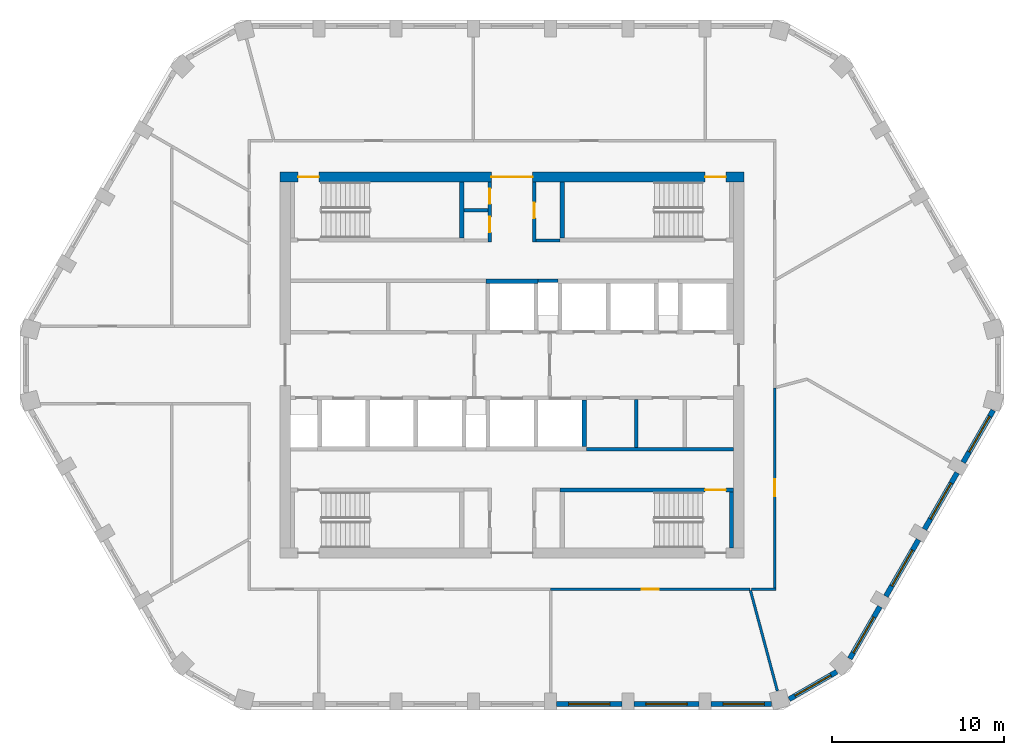
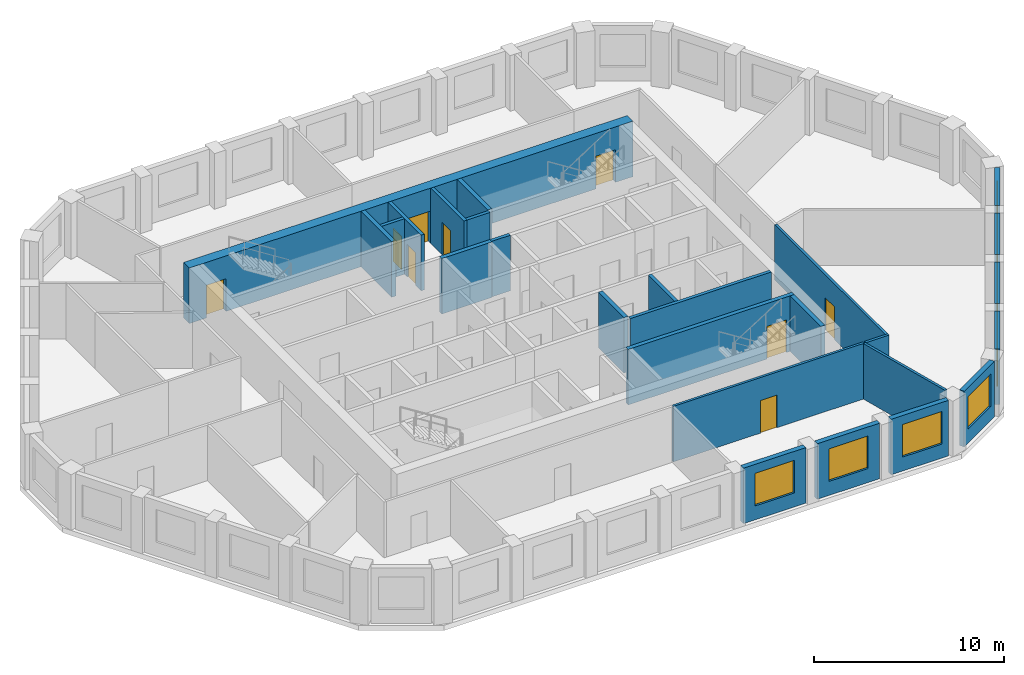
# One storey, part 4 of 7: 26 walls, 9 doors, 8 windows, 17 openings.
"""IFC4 building model written with IfcOpenShell, lengths in metres."""

from ifc_helpers import new_model, si_unit, direction, frame, frame_2d, origin, place, context, subcontext, project, spatial, polyline, rectangle, outline, extrude, material, layer, layer_set, type_object, element, fill, save


model = new_model("IFC4")

# Units and contexts
model_context = context("Model", 3, precision=1e-05, world=origin(), true_north=direction((0.0, 1.0)))
body_context = subcontext(model_context, "Body", "Model", "MODEL_VIEW")
ifc_project = project(units=[si_unit("LENGTHUNIT", "METRE"), si_unit("AREAUNIT", "SQUARE_METRE"), si_unit("VOLUMEUNIT", "CUBIC_METRE"), si_unit("PLANEANGLEUNIT", "RADIAN"), si_unit("MASSUNIT", "GRAM", prefix="KILO")], contexts=[model_context])

# Site, building, storey
site_placement = place(None, origin())
site = spatial("IfcSite", under=ifc_project, at=site_placement, CompositionType="ELEMENT")
building_placement = place(site_placement, origin())
building = spatial("IfcBuilding", under=site, at=building_placement, Name="Dhurran Vertical Campus", CompositionType="ELEMENT")
storey_placement = place(building_placement, frame((0.0, 0.0, 266.39990234375)))
storey = spatial("IfcBuildingStorey", under=building, at=storey_placement, Name="L66", CompositionType="ELEMENT", Elevation=266.39990234375)

# Wall, opening, window
ifc_material_1 = material(Name="Precast concrete C50/60", Category="concrete")
ifc_layer_1 = layer(ifc_material_1, 0.300048828125)
ifc_layer_set_1 = layer_set([ifc_layer_1], Name="Precast concrete C50/60")
wall_type_1 = type_object("IfcWallType", Name="Precast spandrel wall 300", PredefinedType="SOLIDWALL", material=ifc_layer_set_1)
wall_1_placement = place(storey_placement, frame((2.6005859375, -19.738525390625, 0.0), z_axis=(0.0, 0.0, 1.0), x_axis=(1.0, 0.0, 0.0)))
wall_1 = element("IfcWall", 1, at=wall_1_placement, inside=storey, type_object=wall_type_1, Name="EW1 L66.04", PredefinedType="SOLIDWALL", context=body_context, shape_type="SweptSolid", body=[
    extrude(rectangle(XDim=3.798828125, YDim=0.300048828125, at=frame_2d((1.8994140625, 0.0))), origin(), (0.0, 0.0, 1.0), 3.5751953125),
])
opening_1_placement = place(wall_1_placement, frame((0.699462890625, 0.0, 0.89990234375)))
opening_1 = element("IfcOpeningElement", 2, at=opening_1_placement, cuts=wall_1, Name="Opening WT1", PredefinedType="OPENING", context=body_context, shape_type="SweptSolid", body=[
    extrude(rectangle(XDim=2.39990234375, YDim=2.10009765625, at=frame_2d((1.199951171875, 1.050048828125))), frame((0.0, 0.159912109375, 0.0), z_axis=(0.0, -1.0, 0.0), x_axis=(1.0, 0.0, 0.0)), (0.0, 0.0, 1.0), 0.320068359375),
])
ifc_material_2 = material(Name="Aluminium frame with solar-control glass", Category="aluminium")
window_type = type_object("IfcWindowType", Name="Punched window 2400 x 2100", PartitioningType="SINGLE_PANEL", PredefinedType="WINDOW", material=ifc_material_2)
window_1_placement = place(opening_1_placement, origin())
window_1 = element("IfcWindow", 3, at=window_1_placement, inside=storey, type_object=window_type, Name="WT1 L66.04", OverallHeight=2.10009765625, OverallWidth=2.39990234375, PartitioningType="SINGLE_PANEL", PredefinedType="WINDOW", context=body_context, shape_type="SweptSolid", body=[
    extrude(rectangle(XDim=2.39990234375, YDim=2.10009765625, at=frame_2d((1.199951171875, 1.050048828125))), frame((0.0, 0.030029296875, 0.0), z_axis=(0.0, -1.0, 0.0), x_axis=(1.0, 0.0, 0.0)), (0.0, 0.0, 1.0), 0.06005859375),
])
fill(opening_1, window_1)

wall_2_placement = place(storey_placement, frame((7.1005859375, -19.738525390625, 0.0), z_axis=(0.0, 0.0, 1.0), x_axis=(1.0, 0.0, 0.0)))
wall_2 = element("IfcWall", 4, at=wall_2_placement, inside=storey, type_object=wall_type_1, Name="EW1 L66.05", PredefinedType="SOLIDWALL", context=body_context, shape_type="SweptSolid", body=[
    extrude(rectangle(XDim=3.798828125, YDim=0.300048828125, at=frame_2d((1.8994140625, 0.0))), origin(), (0.0, 0.0, 1.0), 3.5751953125),
])
opening_2_placement = place(wall_2_placement, frame((0.699462890625, 0.0, 0.89990234375)))
opening_2 = element("IfcOpeningElement", 5, at=opening_2_placement, cuts=wall_2, Name="Opening WT1", PredefinedType="OPENING", context=body_context, shape_type="SweptSolid", body=[
    extrude(rectangle(XDim=2.39990234375, YDim=2.10009765625, at=frame_2d((1.199951171875, 1.050048828125))), frame((0.0, 0.159912109375, 0.0), z_axis=(0.0, -1.0, 0.0), x_axis=(1.0, 0.0, 0.0)), (0.0, 0.0, 1.0), 0.320068359375),
])
window_2_placement = place(opening_2_placement, origin())
window_2 = element("IfcWindow", 6, at=window_2_placement, inside=storey, type_object=window_type, Name="WT1 L66.05", OverallHeight=2.10009765625, OverallWidth=2.39990234375, PartitioningType="SINGLE_PANEL", PredefinedType="WINDOW", context=body_context, shape_type="SweptSolid", body=[
    extrude(rectangle(XDim=2.39990234375, YDim=2.10009765625, at=frame_2d((1.199951171875, 1.050048828125))), frame((0.0, 0.030029296875, 0.0), z_axis=(0.0, -1.0, 0.0), x_axis=(1.0, 0.0, 0.0)), (0.0, 0.0, 1.0), 0.06005859375),
])
fill(opening_2, window_2)

wall_3_placement = place(storey_placement, frame((11.6005859375, -19.738525390625, 0.0), z_axis=(0.0, 0.0, 1.0), x_axis=(1.0, 0.0, 0.0)))
wall_3 = element("IfcWall", 7, at=wall_3_placement, inside=storey, type_object=wall_type_1, Name="EW1 L66.06", PredefinedType="SOLIDWALL", context=body_context, shape_type="SweptSolid", body=[
    extrude(rectangle(XDim=3.49755859375, YDim=0.300048828125, at=frame_2d((1.748779296875, 0.0))), origin(), (0.0, 0.0, 1.0), 3.5751953125),
])
opening_3_placement = place(wall_3_placement, frame((0.699462890625, 0.0, 0.89990234375)))
opening_3 = element("IfcOpeningElement", 8, at=opening_3_placement, cuts=wall_3, Name="Opening WT1", PredefinedType="OPENING", context=body_context, shape_type="SweptSolid", body=[
    extrude(rectangle(XDim=2.39990234375, YDim=2.10009765625, at=frame_2d((1.199951171875, 1.050048828125))), frame((0.0, 0.159912109375, 0.0), z_axis=(0.0, -1.0, 0.0), x_axis=(1.0, 0.0, 0.0)), (0.0, 0.0, 1.0), 0.320068359375),
])
window_3_placement = place(opening_3_placement, origin())
window_3 = element("IfcWindow", 9, at=window_3_placement, inside=storey, type_object=window_type, Name="WT1 L66.06", OverallHeight=2.10009765625, OverallWidth=2.39990234375, PartitioningType="SINGLE_PANEL", PredefinedType="WINDOW", context=body_context, shape_type="SweptSolid", body=[
    extrude(rectangle(XDim=2.39990234375, YDim=2.10009765625, at=frame_2d((1.199951171875, 1.050048828125))), frame((0.0, 0.030029296875, 0.0), z_axis=(0.0, -1.0, 0.0), x_axis=(1.0, 0.0, 0.0)), (0.0, 0.0, 1.0), 0.06005859375),
])
fill(opening_3, window_3)

wall_4_placement = place(storey_placement, frame((16.1396484375, -19.45947265625, 0.0), z_axis=(0.0, 0.0, 1.0), x_axis=(0.866025316205, 0.500000151692, 0.0)))
wall_4 = element("IfcWall", 10, at=wall_4_placement, inside=storey, type_object=wall_type_1, Name="EW1 L66.07", PredefinedType="SOLIDWALL", context=body_context, shape_type="SweptSolid", body=[
    extrude(rectangle(XDim=3.1962890625, YDim=0.300048828125, at=frame_2d((1.59814453125, 0.0))), origin(), (0.0, 0.0, 1.0), 3.5751953125),
])
opening_4_placement = place(wall_4_placement, frame((0.398193359375, 0.0, 0.89990234375)))
opening_4 = element("IfcOpeningElement", 11, at=opening_4_placement, cuts=wall_4, Name="Opening WT1", PredefinedType="OPENING", context=body_context, shape_type="SweptSolid", body=[
    extrude(rectangle(XDim=2.39990234375, YDim=2.10009765625, at=frame_2d((1.199951171875, 1.050048828125))), frame((0.0, 0.159912109375, 0.0), z_axis=(0.0, -1.0, 0.0), x_axis=(1.0, 0.0, 0.0)), (0.0, 0.0, 1.0), 0.320068359375),
])
window_4_placement = place(opening_4_placement, origin())
window_4 = element("IfcWindow", 12, at=window_4_placement, inside=storey, type_object=window_type, Name="WT1 L66.07", OverallHeight=2.10009765625, OverallWidth=2.39990234375, PartitioningType="SINGLE_PANEL", PredefinedType="WINDOW", context=body_context, shape_type="SweptSolid", body=[
    extrude(rectangle(XDim=2.39990234375, YDim=2.10009765625, at=frame_2d((1.199951171875, 1.050048828125))), frame((0.0, 0.030029296875, 0.0), z_axis=(0.0, -1.0, 0.0), x_axis=(1.0, 0.0, 0.0)), (0.0, 0.0, 1.0), 0.06005859375),
])
fill(opening_4, window_4)

wall_5_placement = place(storey_placement, frame((19.669921875, -17.09912109375, 0.0), z_axis=(0.0, 0.0, 1.0), x_axis=(0.499960102815, 0.866048437209, 0.0)))
wall_5 = element("IfcWall", 13, at=wall_5_placement, inside=storey, type_object=wall_type_1, Name="EW1 L66.08", PredefinedType="SOLIDWALL", context=body_context, shape_type="SweptSolid", body=[
    extrude(rectangle(XDim=3.497802734375, YDim=0.300048828125, at=frame_2d((1.7490234375, 0.0))), origin(), (0.0, 0.0, 1.0), 3.5751953125),
])
opening_5_placement = place(wall_5_placement, frame((0.398193359375, 0.0, 0.89990234375)))
opening_5 = element("IfcOpeningElement", 14, at=opening_5_placement, cuts=wall_5, Name="Opening WT1", PredefinedType="OPENING", context=body_context, shape_type="SweptSolid", body=[
    extrude(rectangle(XDim=2.39990234375, YDim=2.10009765625, at=frame_2d((1.199951171875, 1.050048828125))), frame((0.0, 0.159912109375, 0.0), z_axis=(0.0, -1.0, 0.0), x_axis=(1.0, 0.0, 0.0)), (0.0, 0.0, 1.0), 0.320068359375),
])
window_5_placement = place(opening_5_placement, origin())
window_5 = element("IfcWindow", 15, at=window_5_placement, inside=storey, type_object=window_type, Name="WT1 L66.08", OverallHeight=2.10009765625, OverallWidth=2.39990234375, PartitioningType="SINGLE_PANEL", PredefinedType="WINDOW", context=body_context, shape_type="SweptSolid", body=[
    extrude(rectangle(XDim=2.39990234375, YDim=2.10009765625, at=frame_2d((1.199951171875, 1.050048828125))), frame((0.0, 0.030029296875, 0.0), z_axis=(0.0, -1.0, 0.0), x_axis=(1.0, 0.0, 0.0)), (0.0, 0.0, 1.0), 0.06005859375),
])
fill(opening_5, window_5)

wall_6_placement = place(storey_placement, frame((21.769287109375, -13.462890625, 0.0), z_axis=(0.0, 0.0, 1.0), x_axis=(0.499982058975, 0.866035761792, 0.0)))
wall_6 = element("IfcWall", 16, at=wall_6_placement, inside=storey, type_object=wall_type_1, Name="EW1 L66.09", PredefinedType="SOLIDWALL", context=body_context, shape_type="SweptSolid", body=[
    extrude(rectangle(XDim=3.799072265625, YDim=0.300048828125, at=frame_2d((1.8994140625, 0.0))), origin(), (0.0, 0.0, 1.0), 3.5751953125),
])
opening_6_placement = place(wall_6_placement, frame((0.699462890625, 0.0, 0.89990234375)))
opening_6 = element("IfcOpeningElement", 17, at=opening_6_placement, cuts=wall_6, Name="Opening WT1", PredefinedType="OPENING", context=body_context, shape_type="SweptSolid", body=[
    extrude(rectangle(XDim=2.39990234375, YDim=2.10009765625, at=frame_2d((1.199951171875, 1.050048828125))), frame((0.0, 0.159912109375, 0.0), z_axis=(0.0, -1.0, 0.0), x_axis=(1.0, 0.0, 0.0)), (0.0, 0.0, 1.0), 0.320068359375),
])
window_6_placement = place(opening_6_placement, origin())
window_6 = element("IfcWindow", 18, at=window_6_placement, inside=storey, type_object=window_type, Name="WT1 L66.09", OverallHeight=2.10009765625, OverallWidth=2.39990234375, PartitioningType="SINGLE_PANEL", PredefinedType="WINDOW", context=body_context, shape_type="SweptSolid", body=[
    extrude(rectangle(XDim=2.39990234375, YDim=2.10009765625, at=frame_2d((1.199951171875, 1.050048828125))), frame((0.0, 0.030029296875, 0.0), z_axis=(0.0, -1.0, 0.0), x_axis=(1.0, 0.0, 0.0)), (0.0, 0.0, 1.0), 0.06005859375),
])
fill(opening_6, window_6)

wall_7_placement = place(storey_placement, frame((24.019287109375, -9.565673828125, 0.0), z_axis=(0.0, 0.0, 1.0), x_axis=(0.499982058975, 0.866035761792, 0.0)))
wall_7 = element("IfcWall", 19, at=wall_7_placement, inside=storey, type_object=wall_type_1, Name="EW1 L66.10", PredefinedType="SOLIDWALL", context=body_context, shape_type="SweptSolid", body=[
    extrude(rectangle(XDim=3.799072265625, YDim=0.300048828125, at=frame_2d((1.8994140625, 0.0))), origin(), (0.0, 0.0, 1.0), 3.5751953125),
])
opening_7_placement = place(wall_7_placement, frame((0.699462890625, 0.0, 0.89990234375)))
opening_7 = element("IfcOpeningElement", 20, at=opening_7_placement, cuts=wall_7, Name="Opening WT1", PredefinedType="OPENING", context=body_context, shape_type="SweptSolid", body=[
    extrude(rectangle(XDim=2.39990234375, YDim=2.10009765625, at=frame_2d((1.199951171875, 1.050048828125))), frame((0.0, 0.159912109375, 0.0), z_axis=(0.0, -1.0, 0.0), x_axis=(1.0, 0.0, 0.0)), (0.0, 0.0, 1.0), 0.320068359375),
])
window_7_placement = place(opening_7_placement, origin())
window_7 = element("IfcWindow", 21, at=window_7_placement, inside=storey, type_object=window_type, Name="WT1 L66.10", OverallHeight=2.10009765625, OverallWidth=2.39990234375, PartitioningType="SINGLE_PANEL", PredefinedType="WINDOW", context=body_context, shape_type="SweptSolid", body=[
    extrude(rectangle(XDim=2.39990234375, YDim=2.10009765625, at=frame_2d((1.199951171875, 1.050048828125))), frame((0.0, 0.030029296875, 0.0), z_axis=(0.0, -1.0, 0.0), x_axis=(1.0, 0.0, 0.0)), (0.0, 0.0, 1.0), 0.06005859375),
])
fill(opening_7, window_7)

wall_8_placement = place(storey_placement, frame((26.269287109375, -5.668701171875, 0.0), z_axis=(0.0, 0.0, 1.0), x_axis=(0.499990325971, 0.866030989016, 0.0)))
wall_8 = element("IfcWall", 22, at=wall_8_placement, inside=storey, type_object=wall_type_1, Name="EW1 L66.11", PredefinedType="SOLIDWALL", context=body_context, shape_type="SweptSolid", body=[
    extrude(rectangle(XDim=3.49755859375, YDim=0.300048828125, at=frame_2d((1.748779296875, 0.0))), origin(), (0.0, 0.0, 1.0), 3.5751953125),
])
opening_8_placement = place(wall_8_placement, frame((0.699462890625, 0.0, 0.89990234375)))
opening_8 = element("IfcOpeningElement", 23, at=opening_8_placement, cuts=wall_8, Name="Opening WT1", PredefinedType="OPENING", context=body_context, shape_type="SweptSolid", body=[
    extrude(rectangle(XDim=2.39990234375, YDim=2.10009765625, at=frame_2d((1.199951171875, 1.050048828125))), frame((0.0, 0.159912109375, 0.0), z_axis=(0.0, -1.0, 0.0), x_axis=(1.0, 0.0, 0.0)), (0.0, 0.0, 1.0), 0.320068359375),
])
window_8_placement = place(opening_8_placement, origin())
window_8 = element("IfcWindow", 24, at=window_8_placement, inside=storey, type_object=window_type, Name="WT1 L66.11", OverallHeight=2.10009765625, OverallWidth=2.39990234375, PartitioningType="SINGLE_PANEL", PredefinedType="WINDOW", context=body_context, shape_type="SweptSolid", body=[
    extrude(rectangle(XDim=2.39990234375, YDim=2.10009765625, at=frame_2d((1.199951171875, 1.050048828125))), frame((0.0, 0.030029296875, 0.0), z_axis=(0.0, -1.0, 0.0), x_axis=(1.0, 0.0, 0.0)), (0.0, 0.0, 1.0), 0.06005859375),
])
fill(opening_8, window_8)

# Wall, openings, doors
ifc_material_3 = material(Name="Concrete C50/60", Category="concrete")
ifc_layer_2 = layer(ifc_material_3, 0.60009765625)
ifc_layer_set_2 = layer_set([ifc_layer_2], Name="Concrete C50/60")
wall_type_2 = type_object("IfcWallType", Name="co-CORE-WALL-C2-600", PredefinedType="SHEAR", material=ifc_layer_set_2)
wall_9_placement = place(storey_placement, frame((-13.5, 10.949951171875, 0.0), z_axis=(0.0, 0.0, 1.0), x_axis=(1.0, 0.0, 0.0)))
wall_9 = element("IfcWall", 25, at=wall_9_placement, inside=storey, type_object=wall_type_2, Name="Core wall N L66", PredefinedType="SHEAR", context=body_context, shape_type="SweptSolid", body=[
    extrude(rectangle(XDim=27.0, YDim=0.60009765625, at=frame_2d((13.5, 0.0))), origin(), (0.0, 0.0, 1.0), 3.5751953125),
])
opening_9_placement = place(wall_9_placement, frame((12.300048828125, 0.0, 0.0)))
opening_9 = element("IfcOpeningElement", 26, at=opening_9_placement, cuts=wall_9, Name="Opening CV1", PredefinedType="OPENING", context=body_context, shape_type="SweptSolid", body=[
    extrude(rectangle(XDim=2.39990234375, YDim=2.10009765625, at=frame_2d((1.199951171875, 1.050048828125))), frame((0.0, 0.31005859375, 0.0), z_axis=(0.0, -1.0, 0.0), x_axis=(1.0, 0.0, 0.0)), (0.0, 0.0, 1.0), 0.6201171875),
])
opening_10_placement = place(wall_9_placement, frame((1.050048828125, 0.0, 0.0)))
opening_10 = element("IfcOpeningElement", 27, at=opening_10_placement, cuts=wall_9, Name="Opening XD1", PredefinedType="OPENING", context=body_context, shape_type="SweptSolid", body=[
    extrude(rectangle(XDim=1.199951171875, YDim=2.10009765625, at=frame_2d((0.60009765625, 1.050048828125))), frame((0.0, 0.31005859375, 0.0), z_axis=(0.0, -1.0, 0.0), x_axis=(1.0, 0.0, 0.0)), (0.0, 0.0, 1.0), 0.6201171875),
])
opening_11_placement = place(wall_9_placement, frame((24.75, 0.0, 0.0)))
opening_11 = element("IfcOpeningElement", 28, at=opening_11_placement, cuts=wall_9, Name="Opening XD2", PredefinedType="OPENING", context=body_context, shape_type="SweptSolid", body=[
    extrude(rectangle(XDim=1.199951171875, YDim=2.10009765625, at=frame_2d((0.60009765625, 1.050048828125))), frame((0.0, 0.31005859375, 0.0), z_axis=(0.0, -1.0, 0.0), x_axis=(1.0, 0.0, 0.0)), (0.0, 0.0, 1.0), 0.6201171875),
])
ifc_material_4 = material(Name="Fire-rated glazed door set")
door_type_1 = type_object("IfcDoorType", Name="co-D-LOBBY 2400x2100", OperationType="DOUBLE_DOOR_DOUBLE_SWING", PredefinedType="DOOR", material=ifc_material_4)
door_1_placement = place(opening_9_placement, origin())
door_1 = element("IfcDoor", 29, at=door_1_placement, inside=storey, type_object=door_type_1, Name="Core vestibule door N L66", OperationType="DOUBLE_DOOR_DOUBLE_SWING", OverallHeight=2.10009765625, OverallWidth=2.39990234375, PredefinedType="DOOR", context=body_context, shape_type="SweptSolid", body=[
    extrude(rectangle(XDim=2.39990234375, YDim=2.10009765625, at=frame_2d((1.199951171875, 1.050048828125))), frame((0.0, 0.02490234375, 0.0), z_axis=(0.0, -1.0, 0.0), x_axis=(1.0, 0.0, 0.0)), (0.0, 0.0, 1.0), 0.050048828125),
])
fill(opening_9, door_1)
ifc_material_5 = material(Name="Fire-rated steel door set", Category="steel")
door_type_2 = type_object("IfcDoorType", Name="co-D-STAIR-EXIT 1200x2100", OperationType="SINGLE_SWING_RIGHT", PredefinedType="DOOR", material=ifc_material_5)
door_2_placement = place(opening_10_placement, origin())
door_2 = element("IfcDoor", 30, at=door_2_placement, inside=storey, type_object=door_type_2, Name="Stair ST1 exit door L66", OperationType="SINGLE_SWING_RIGHT", OverallHeight=2.10009765625, OverallWidth=1.199951171875, PredefinedType="DOOR", context=body_context, shape_type="SweptSolid", body=[
    extrude(rectangle(XDim=1.199951171875, YDim=2.10009765625, at=frame_2d((0.60009765625, 1.050048828125))), frame((0.0, 0.02490234375, 0.0), z_axis=(0.0, -1.0, 0.0), x_axis=(1.0, 0.0, 0.0)), (0.0, 0.0, 1.0), 0.050048828125),
])
fill(opening_10, door_2)
door_3_placement = place(opening_11_placement, origin())
door_3 = element("IfcDoor", 31, at=door_3_placement, inside=storey, type_object=door_type_2, Name="Stair ST2 exit door L66", OperationType="SINGLE_SWING_RIGHT", OverallHeight=2.10009765625, OverallWidth=1.199951171875, PredefinedType="DOOR", context=body_context, shape_type="SweptSolid", body=[
    extrude(rectangle(XDim=1.199951171875, YDim=2.10009765625, at=frame_2d((0.60009765625, 1.050048828125))), frame((0.0, 0.02490234375, 0.0), z_axis=(0.0, -1.0, 0.0), x_axis=(1.0, 0.0, 0.0)), (0.0, 0.0, 1.0), 0.050048828125),
])
fill(opening_11, door_3)

# Walls
ifc_material_6 = material(Name="Fire-rated masonry blockwork", Category="masonry")
ifc_layer_3 = layer(ifc_material_6, 0.199951171875)
ifc_layer_set_3 = layer_set([ifc_layer_3], Name="Fire-rated masonry blockwork")
wall_type_3 = type_object("IfcWallType", Name="co-FIRE-PARTITION-200", PredefinedType="PARTITIONING", material=ifc_layer_set_3)
for number, where, z_axis, x_axis, name in (
    (32, (-2.800048828125, 9.0, 0.0), (0.0, 0.0, 1.0), (1.0, 0.0, 0.0), "Core partition sl-NW-cut0 L66"),
    (33, (1.39990234375, 7.25, 0.0), (0.0, 0.0, 1.0), (1.0, 0.0, 0.0), "Core partition sl-NE-S L66"),
):
    element("IfcWall", number, at=place(storey_placement, frame(where, z_axis=z_axis, x_axis=x_axis)), inside=storey, type_object=wall_type_3, Name=name, PredefinedType="PARTITIONING", context=body_context, shape_type="SweptSolid", body=[
        extrude(rectangle(XDim=1.400146484375, YDim=0.199951171875, at=frame_2d((0.7001953125, 0.0))), origin(), (0.0, 0.0, 1.0), 3.5751953125),
    ])

# Wall, openings, doors
wall_10_placement = place(storey_placement, frame((-1.300048828125, 7.14990234375, 0.0), z_axis=(0.0, 0.0, 1.0), x_axis=(0.0, 1.0, 0.0)))
wall_10 = element("IfcWall", 34, at=wall_10_placement, inside=storey, type_object=wall_type_3, Name="Core partition vest-NW L66", PredefinedType="PARTITIONING", context=body_context, shape_type="SweptSolid", body=[
    extrude(rectangle(XDim=3.5, YDim=0.199951171875, at=frame_2d((1.75, 0.0))), origin(), (0.0, 0.0, 1.0), 3.5751953125),
])
opening_12_placement = place(wall_10_placement, frame((0.574951171875, 0.0, 0.0)))
opening_12 = element("IfcOpeningElement", 35, at=opening_12_placement, cuts=wall_10, Name="Opening T19-C3", PredefinedType="OPENING", context=body_context, shape_type="SweptSolid", body=[
    extrude(rectangle(XDim=0.89990234375, YDim=2.10009765625, at=frame_2d((0.449951171875, 1.050048828125))), frame((0.0, 0.10986328125, 0.0), z_axis=(0.0, -1.0, 0.0), x_axis=(1.0, 0.0, 0.0)), (0.0, 0.0, 1.0), 0.219970703125),
])
opening_13_placement = place(wall_10_placement, frame((2.22509765625, 0.0, 0.0)))
opening_13 = element("IfcOpeningElement", 36, at=opening_13_placement, cuts=wall_10, Name="Opening T19-C4", PredefinedType="OPENING", context=body_context, shape_type="SweptSolid", body=[
    extrude(rectangle(XDim=0.89990234375, YDim=2.10009765625, at=frame_2d((0.449951171875, 1.050048828125))), frame((0.0, 0.10986328125, 0.0), z_axis=(0.0, -1.0, 0.0), x_axis=(1.0, 0.0, 0.0)), (0.0, 0.0, 1.0), 0.219970703125),
])
ifc_material_7 = material(Name="Fire-rated timber door set", Category="wood")
door_type_3 = type_object("IfcDoorType", Name="co-D-ROOM 900x2100", OperationType="SINGLE_SWING_LEFT", PredefinedType="DOOR", material=ifc_material_7)
door_4_placement = place(opening_12_placement, origin())
door_4 = element("IfcDoor", 37, at=door_4_placement, inside=storey, type_object=door_type_3, Name="Server room door L66", OperationType="SINGLE_SWING_LEFT", OverallHeight=2.10009765625, OverallWidth=0.89990234375, PredefinedType="DOOR", context=body_context, shape_type="SweptSolid", body=[
    extrude(rectangle(XDim=0.89990234375, YDim=2.10009765625, at=frame_2d((0.449951171875, 1.050048828125))), frame((0.0, 0.02490234375, 0.0), z_axis=(0.0, -1.0, 0.0), x_axis=(1.0, 0.0, 0.0)), (0.0, 0.0, 1.0), 0.050048828125),
])
fill(opening_12, door_4)
door_5_placement = place(opening_13_placement, origin())
door_5 = element("IfcDoor", 38, at=door_5_placement, inside=storey, type_object=door_type_3, Name="Fire equipment store door L66", OperationType="SINGLE_SWING_LEFT", OverallHeight=2.10009765625, OverallWidth=0.89990234375, PredefinedType="DOOR", context=body_context, shape_type="SweptSolid", body=[
    extrude(rectangle(XDim=0.89990234375, YDim=2.10009765625, at=frame_2d((0.449951171875, 1.050048828125))), frame((0.0, 0.02490234375, 0.0), z_axis=(0.0, -1.0, 0.0), x_axis=(1.0, 0.0, 0.0)), (0.0, 0.0, 1.0), 0.050048828125),
])
fill(opening_13, door_5)

# Wall, opening, door
wall_11_placement = place(storey_placement, frame((1.300048828125, 7.14990234375, 0.0), z_axis=(0.0, 0.0, 1.0), x_axis=(0.0, 1.0, 0.0)))
wall_11 = element("IfcWall", 39, at=wall_11_placement, inside=storey, type_object=wall_type_3, Name="Core partition vest-NE L66", PredefinedType="PARTITIONING", context=body_context, shape_type="SweptSolid", body=[
    extrude(rectangle(XDim=3.5, YDim=0.199951171875, at=frame_2d((1.75, 0.0))), origin(), (0.0, 0.0, 1.0), 3.5751953125),
])
opening_14_placement = place(wall_11_placement, frame((1.39990234375, 0.0, 0.0)))
opening_14 = element("IfcOpeningElement", 40, at=opening_14_placement, cuts=wall_11, Name="Opening T19-C5", PredefinedType="OPENING", context=body_context, shape_type="SweptSolid", body=[
    extrude(rectangle(XDim=0.89990234375, YDim=2.10009765625, at=frame_2d((0.449951171875, 1.050048828125))), frame((0.0, 0.10986328125, 0.0), z_axis=(0.0, -1.0, 0.0), x_axis=(1.0, 0.0, 0.0)), (0.0, 0.0, 1.0), 0.219970703125),
])
door_6_placement = place(opening_14_placement, origin())
door_6 = element("IfcDoor", 41, at=door_6_placement, inside=storey, type_object=door_type_3, Name="Pantry door L66", OperationType="SINGLE_SWING_LEFT", OverallHeight=2.10009765625, OverallWidth=0.89990234375, PredefinedType="DOOR", context=body_context, shape_type="SweptSolid", body=[
    extrude(rectangle(XDim=0.89990234375, YDim=2.10009765625, at=frame_2d((0.449951171875, 1.050048828125))), frame((0.0, 0.02490234375, 0.0), z_axis=(0.0, -1.0, 0.0), x_axis=(1.0, 0.0, 0.0)), (0.0, 0.0, 1.0), 0.050048828125),
])
fill(opening_14, door_6)

# Walls
wall_12_placement = place(storey_placement, frame((1.52490234375, 4.89990234375, 0.0), z_axis=(0.0, 0.0, 1.0), x_axis=(1.0, 0.0, 0.0)))
element("IfcWall", 42, at=wall_12_placement, inside=storey, type_object=wall_type_3, Name="Core partition fr-N1-b L66", PredefinedType="PARTITIONING", context=body_context, shape_type="SweptSolid", body=[
    extrude(rectangle(XDim=1.150146484375, YDim=0.199951171875, at=frame_2d((0.5751953125, 0.0))), origin(), (0.0, 0.0, 1.0), 3.5751953125),
])
wall_13_placement = place(storey_placement, frame((7.240478515625, -4.800048828125, 0.0), z_axis=(0.0, 0.0, 1.0), x_axis=(0.0, 1.0, 0.0)))
element("IfcWall", 43, at=wall_13_placement, inside=storey, type_object=wall_type_3, Name="Core partition fr-S2-cut0 L66", PredefinedType="PARTITIONING", context=body_context, shape_type="SweptSolid", body=[
    extrude(rectangle(XDim=2.800048828125, YDim=0.199951171875, at=frame_2d((1.39990234375, 0.0))), origin(), (0.0, 0.0, 1.0), 3.5751953125),
])
wall_14_placement = place(storey_placement, frame((4.324951171875, -4.89990234375, 0.0), z_axis=(0.0, 0.0, 1.0), x_axis=(1.0, 0.0, 0.0)))
element("IfcWall", 44, at=wall_14_placement, inside=storey, type_object=wall_type_3, Name="Core partition fr-S2-b L66", PredefinedType="PARTITIONING", context=body_context, shape_type="SweptSolid", body=[
    extrude(rectangle(XDim=8.574951171875, YDim=0.199951171875, at=frame_2d((4.28759765625, 0.0))), origin(), (0.0, 0.0, 1.0), 3.5751953125),
])
ifc_material_8 = material(Name="Concrete C50/60", Category="concrete")
ifc_layer_4 = layer(ifc_material_8, 0.25)
ifc_layer_set_4 = layer_set([ifc_layer_4], Name="Concrete C50/60")
wall_type_4 = type_object("IfcWallType", Name="co-SHAFT-MASS-250", PredefinedType="SHEAR", material=ifc_layer_set_4)
wall_15_placement = place(storey_placement, origin())
element("IfcWall", 45, at=wall_15_placement, inside=storey, type_object=wall_type_4, Name="Lift shaft wall N L66 1", PredefinedType="SHEAR", context=body_context, shape_type="SweptSolid", body=[
    extrude(outline(polyline([(-1.52490234375, 4.75), (1.52490234375, 4.75), (1.52490234375, 5.0), (-1.52490234375, 5.0), (-1.52490234375, 4.75)])), origin(), (0.0, 0.0, 1.0), 3.5751953125),
])
wall_16_placement = place(storey_placement, origin())
element("IfcWall", 46, at=wall_16_placement, inside=storey, type_object=wall_type_4, Name="Lift shaft wall S L66 9", PredefinedType="SHEAR", context=body_context, shape_type="SweptSolid", body=[
    extrude(outline(polyline([(4.074951171875, -4.75), (4.324951171875, -4.75), (4.324951171875, -2.050048828125), (4.074951171875, -2.050048828125), (4.074951171875, -4.75)])), origin(), (0.0, 0.0, 1.0), 3.5751953125),
])
ifc_material_9 = material(Name="Concrete C40/50", Category="concrete")
ifc_layer_5 = layer(ifc_material_9, 0.25)
ifc_layer_set_5 = layer_set([ifc_layer_5], Name="Concrete C40/50")
wall_type_5 = type_object("IfcWallType", Name="co-STAIR-WALL-250", PredefinedType="SHEAR", material=ifc_layer_set_5)
for number, where, z_axis, x_axis, name in (
    (47, (-2.925048828125, 7.39990234375, 0.0), (0.0, 0.0, 1.0), (0.0, 1.0, 0.0), "Stair ST1 enclosure wall L66"),
    (48, (2.925048828125, 7.39990234375, 0.0), (0.0, 0.0, 1.0), (0.0, 1.0, 0.0), "Stair ST2 enclosure wall L66"),
):
    element("IfcWall", number, at=place(storey_placement, frame(where, z_axis=z_axis, x_axis=x_axis)), inside=storey, type_object=wall_type_5, Name=name, PredefinedType="SHEAR", context=body_context, shape_type="SweptSolid", body=[
        extrude(rectangle(XDim=3.25, YDim=0.25, at=frame_2d((1.625, 0.0))), origin(), (0.0, 0.0, 1.0), 3.5751953125),
    ])

# Wall, opening, door
wall_17_placement = place(storey_placement, frame((2.800048828125, -7.27490234375, 0.0), z_axis=(0.0, 0.0, 1.0), x_axis=(1.0, 0.0, 0.0)))
wall_17 = element("IfcWall", 49, at=wall_17_placement, inside=storey, type_object=wall_type_5, Name="Stair ST4 enclosure wall L66", PredefinedType="SHEAR", context=body_context, shape_type="SweptSolid", body=[
    extrude(rectangle(XDim=10.099853515625, YDim=0.25, at=frame_2d((5.0498046875, 0.0))), origin(), (0.0, 0.0, 1.0), 3.5751953125),
])
opening_15_placement = place(wall_17_placement, frame((8.449951171875, 0.0, 0.0)))
opening_15 = element("IfcOpeningElement", 50, at=opening_15_placement, cuts=wall_17, Name="Opening SD4", PredefinedType="OPENING", context=body_context, shape_type="SweptSolid", body=[
    extrude(rectangle(XDim=1.199951171875, YDim=2.10009765625, at=frame_2d((0.60009765625, 1.050048828125))), frame((0.0, 0.135009765625, 0.0), z_axis=(0.0, -1.0, 0.0), x_axis=(1.0, 0.0, 0.0)), (0.0, 0.0, 1.0), 0.27001953125),
])
ifc_material_10 = material(Name="Fire-rated steel door set", Category="steel")
door_type_4 = type_object("IfcDoorType", Name="co-D-STAIR 1200x2100", OperationType="SINGLE_SWING_LEFT", PredefinedType="DOOR", material=ifc_material_10)
door_7_placement = place(opening_15_placement, origin())
door_7 = element("IfcDoor", 51, at=door_7_placement, inside=storey, type_object=door_type_4, Name="Stair ST4 door L66", OperationType="SINGLE_SWING_LEFT", OverallHeight=2.10009765625, OverallWidth=1.199951171875, PredefinedType="DOOR", context=body_context, shape_type="SweptSolid", body=[
    extrude(rectangle(XDim=1.199951171875, YDim=2.10009765625, at=frame_2d((0.60009765625, 1.050048828125))), frame((0.0, 0.02490234375, 0.0), z_axis=(0.0, -1.0, 0.0), x_axis=(1.0, 0.0, 0.0)), (0.0, 0.0, 1.0), 0.050048828125),
])
fill(opening_15, door_7)

# Wall
wall_18_placement = place(storey_placement, frame((12.77490234375, -10.64990234375, 0.0), z_axis=(0.0, 0.0, 1.0), x_axis=(0.0, 1.0, 0.0)))
element("IfcWall", 52, at=wall_18_placement, inside=storey, type_object=wall_type_5, Name="Stair ST4 enclosure wall L66", PredefinedType="SHEAR", context=body_context, shape_type="SweptSolid", body=[
    extrude(rectangle(XDim=3.25, YDim=0.25, at=frame_2d((1.625, 0.0))), origin(), (0.0, 0.0, 1.0), 3.5751953125),
])

# Wall, opening, door
ifc_material_11 = material(Name="Gypsum board corridor wall on steel studs", Category="steel")
ifc_layer_6 = layer(ifc_material_11, 0.14990234375)
ifc_layer_set_6 = layer_set([ifc_layer_6], Name="Gypsum board corridor wall on steel studs")
wall_type_6 = type_object("IfcWallType", Name="fl-CW-150 corridor wall", PredefinedType="PARTITIONING", material=ifc_layer_set_6)
wall_19_placement = place(storey_placement, frame((2.25, -13.050048828125, 0.0), z_axis=(0.0, 0.0, 1.0), x_axis=(1.0, 0.0, 0.0)))
wall_19 = element("IfcWall", 53, at=wall_19_placement, inside=storey, type_object=wall_type_6, Name="Partition 66-27", PredefinedType="PARTITIONING", context=body_context, shape_type="SweptSolid", body=[
    extrude(rectangle(XDim=11.614013671875, YDim=0.14990234375, at=frame_2d((5.80712890625, 0.0))), origin(), (0.0, 0.0, 1.0), 3.5751953125),
])
opening_16_placement = place(wall_19_placement, frame((5.306884765625, 0.0, 0.0)))
opening_16 = element("IfcOpeningElement", 54, at=opening_16_placement, cuts=wall_19, Name="Opening T19.11", PredefinedType="OPENING", context=body_context, shape_type="SweptSolid", body=[
    extrude(rectangle(XDim=1.0, YDim=2.10009765625, at=frame_2d((0.5, 1.050048828125))), frame((0.0, 0.0849609375, 0.0), z_axis=(0.0, -1.0, 0.0), x_axis=(1.0, 0.0, 0.0)), (0.0, 0.0, 1.0), 0.169921875),
])
ifc_material_12 = material(Name="Solid-core timber door set, fire-rated", Category="wood")
door_type_5 = type_object("IfcDoorType", Name="fl-D-1000x2100", OperationType="SINGLE_SWING_LEFT", PredefinedType="DOOR", material=ifc_material_12)
door_8_placement = place(opening_16_placement, origin())
door_8 = element("IfcDoor", 55, at=door_8_placement, inside=storey, type_object=door_type_5, Name="Door 66.11", OperationType="SINGLE_SWING_RIGHT", OverallHeight=2.10009765625, OverallWidth=1.0, PredefinedType="DOOR", context=body_context, shape_type="SweptSolid", body=[
    extrude(rectangle(XDim=1.0, YDim=2.10009765625, at=frame_2d((0.5, 1.050048828125))), frame((0.0, 0.02490234375, 0.0), z_axis=(0.0, -1.0, 0.0), x_axis=(1.0, 0.0, 0.0)), (0.0, 0.0, 1.0), 0.050048828125),
])
fill(opening_16, door_8)

# Wall
wall_20_placement = place(storey_placement, frame((13.958984375, -13.050048828125, 0.0), z_axis=(0.0, 0.0, 1.0), x_axis=(1.0, 0.0, 0.0)))
element("IfcWall", 56, at=wall_20_placement, inside=storey, type_object=wall_type_6, Name="Partition 66-30", PredefinedType="PARTITIONING", context=body_context, shape_type="SweptSolid", body=[
    extrude(rectangle(XDim=1.416015625, YDim=0.14990234375, at=frame_2d((0.7080078125, 0.0))), origin(), (0.0, 0.0, 1.0), 3.5751953125),
])

# Wall, opening, door
wall_21_placement = place(storey_placement, frame((15.300048828125, -12.97509765625, 0.0), z_axis=(0.0, 0.0, 1.0), x_axis=(0.0, 1.0, 0.0)))
wall_21 = element("IfcWall", 57, at=wall_21_placement, inside=storey, type_object=wall_type_6, Name="Partition 66-32", PredefinedType="PARTITIONING", context=body_context, shape_type="SweptSolid", body=[
    extrude(rectangle(XDim=11.649169921875, YDim=0.14990234375, at=frame_2d((5.82470703125, 0.0))), origin(), (0.0, 0.0, 1.0), 3.5751953125),
])
opening_17_placement = place(wall_21_placement, frame((5.324462890625, 0.0, 0.0)))
opening_17 = element("IfcOpeningElement", 58, at=opening_17_placement, cuts=wall_21, Name="Opening T19.13", PredefinedType="OPENING", context=body_context, shape_type="SweptSolid", body=[
    extrude(rectangle(XDim=1.0, YDim=2.10009765625, at=frame_2d((0.5, 1.050048828125))), frame((0.0, 0.0849609375, 0.0), z_axis=(0.0, -1.0, 0.0), x_axis=(1.0, 0.0, 0.0)), (0.0, 0.0, 1.0), 0.169921875),
])
door_9_placement = place(opening_17_placement, origin())
door_9 = element("IfcDoor", 59, at=door_9_placement, inside=storey, type_object=door_type_5, Name="Door 66.13", OperationType="SINGLE_SWING_LEFT", OverallHeight=2.10009765625, OverallWidth=1.0, PredefinedType="DOOR", context=body_context, shape_type="SweptSolid", body=[
    extrude(rectangle(XDim=1.0, YDim=2.10009765625, at=frame_2d((0.5, 1.050048828125))), frame((0.0, 0.02490234375, 0.0), z_axis=(0.0, -1.0, 0.0), x_axis=(1.0, 0.0, 0.0)), (0.0, 0.0, 1.0), 0.050048828125),
])
fill(opening_17, door_9)

# Wall
ifc_material_13 = material(Name="Gypsum board partition on steel studs", Category="steel")
ifc_layer_7 = layer(ifc_material_13, 0.14990234375)
ifc_layer_set_7 = layer_set([ifc_layer_7], Name="Gypsum board partition on steel studs")
wall_type_7 = type_object("IfcWallType", Name="fl-PW-150 fixed partition", PredefinedType="PARTITIONING", material=ifc_layer_set_7)
wall_22_placement = place(storey_placement, frame((13.88330078125, -13.122314453125, 0.0), z_axis=(0.0, 0.0, 1.0), x_axis=(0.258896568031, -0.965905050749, 0.0)))
element("IfcWall", 60, at=wall_22_placement, inside=storey, type_object=wall_type_7, Name="Partition 66-31", PredefinedType="PARTITIONING", context=body_context, shape_type="SweptSolid", body=[
    extrude(rectangle(XDim=6.057861328125, YDim=0.14990234375, at=frame_2d((3.02880859375, 0.0))), origin(), (0.0, 0.0, 1.0), 3.5751953125),
])

save(model, "model.ifc")
